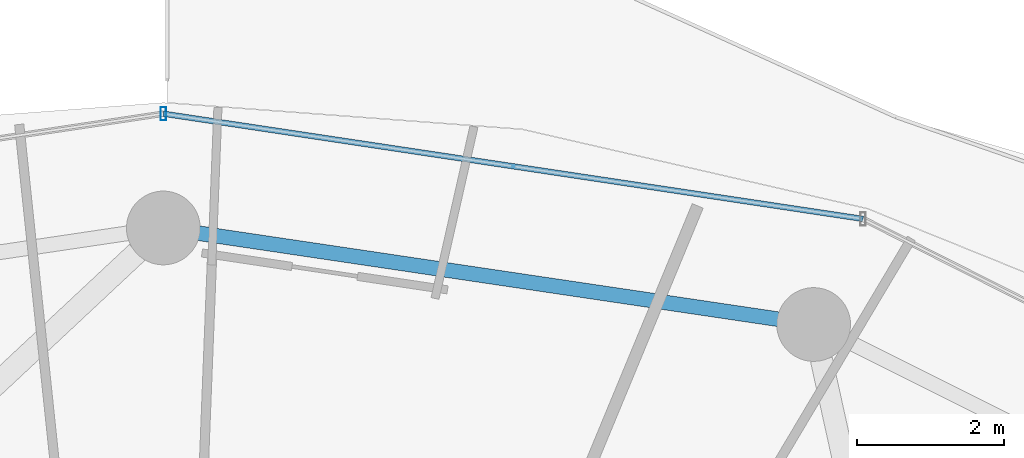
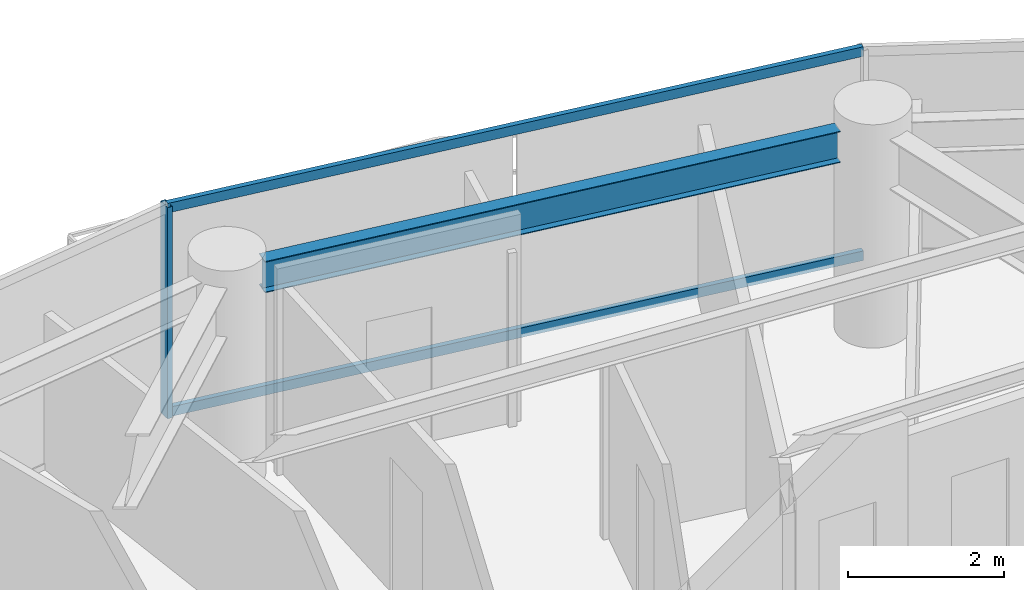
# One storey, part 17 of 28: 3 members, 1 beam, 1 element without a shape of its own.
"""IFC4 building model written with IfcOpenShell, lengths in metres."""

from ifc_helpers import new_model, si_unit, direction, frame, origin, origin_2d, place, context, subcontext, project, spatial, hollow_rectangle, i_section, extrude, material, material_profile, profile_set, type_object, element, aggregate, save


model = new_model("IFC4")

# Units and contexts
model_context = context("Model", 3, precision=1e-05, world=origin(), true_north=direction((0.0, 1.0)))
body_context = subcontext(model_context, "Body", "Model", "MODEL_VIEW")
ifc_project = project(units=[si_unit("LENGTHUNIT", "METRE"), si_unit("AREAUNIT", "SQUARE_METRE"), si_unit("VOLUMEUNIT", "CUBIC_METRE"), si_unit("PLANEANGLEUNIT", "RADIAN"), si_unit("MASSUNIT", "GRAM", prefix="KILO")], contexts=[model_context])

# Site, building, storey
site_placement = place(None, origin())
site = spatial("IfcSite", under=ifc_project, at=site_placement, CompositionType="ELEMENT")
building_placement = place(site_placement, origin())
building = spatial("IfcBuilding", under=site, at=building_placement, Name="Vorneva Point Tower", CompositionType="ELEMENT")
storey_placement = place(building_placement, frame((0.0, 0.0, 146.60009765625)))
storey = spatial("IfcBuildingStorey", under=building, at=storey_placement, Name="L39", CompositionType="ELEMENT", Elevation=146.60009765625)

# Beam
ifc_material_1 = material(Name="Steel S355", Category="steel")
ifc_material_profile_1 = material_profile(ifc_material_1, i_section(OverallWidth=0.199951171875, OverallDepth=0.491943359375, WebThickness=0.0087890625, FlangeThickness=0.011962890625, at=origin_2d()), Name="50B1")
ifc_profile_set_1 = profile_set([ifc_material_profile_1], Name="Steel S355")
beam_type = type_object("IfcBeamType", Name="BM-SPN-50B1", PredefinedType="SPANDREL", material=ifc_profile_set_1)
beam_placement = place(storey_placement, frame((46.34130859375, 41.9619140625, 2.993896484375), z_axis=(-0.989161199046, 0.146833655211, 0.0), x_axis=(-0.146833655211, -0.989161199046, 0.0)))
element("IfcBeam", 1, at=beam_placement, inside=storey, type_object=beam_type, Name="L39 Perimeter Spandrel Ring Beam 04", PredefinedType="SPANDREL", context=body_context, shape_type="SweptSolid", body=[
    extrude(i_section(OverallWidth=0.199951171875, OverallDepth=0.491943359375, WebThickness=0.0087890625, FlangeThickness=0.011962890625, at=origin_2d()), origin(), (0.0, 0.0, 1.0), 7.94775390625),
])

# Curtain wall, members
ifc_material_2 = material(Name="Pale anodised aluminium", Category="aluminium")
curtain_wall_type = type_object("IfcCurtainWallType", Name="CW-RES-SYS", PredefinedType="NOTDEFINED", material=ifc_material_2)
curtain_wall_placement = place(storey_placement, origin())
curtain_wall = element("IfcCurtainWall", 2, at=curtain_wall_placement, inside=storey, type_object=curtain_wall_type, Name="L39 Unitised Curtain Wall CW-L39-R01", PredefinedType="NOTDEFINED")
ifc_material_profile_2 = material_profile(ifc_material_2, hollow_rectangle(XDim=0.074951171875, YDim=0.179931640625, WallThickness=0.00390625, at=origin_2d()), Name="AL-MUL 180x75x4")
ifc_profile_set_2 = profile_set([ifc_material_profile_2], Name="Pale anodised aluminium")
member_type_1 = type_object("IfcMemberType", Name="CW-MUL-180", PredefinedType="MULLION", material=ifc_profile_set_2)
member_1_placement = place(storey_placement, frame((38.0, 44.75, -0.0400390625), z_axis=(0.0, 0.0, 1.0), x_axis=(1.0, 0.0, 0.0)))
member_1 = element("IfcMember", 3, at=member_1_placement, type_object=member_type_1, Name="CW-L39-R01 Mullion 04", PredefinedType="MULLION", context=body_context, shape_type="SweptSolid", body=[
    extrude(hollow_rectangle(XDim=0.074951171875, YDim=0.179931640625, WallThickness=0.00390625, at=origin_2d()), origin(), (0.0, 0.0, 1.0), 3.31005859375),
])
ifc_material_profile_3 = material_profile(ifc_material_2, hollow_rectangle(XDim=0.074951171875, YDim=0.14990234375, WallThickness=0.00390625, at=origin_2d()), Name="AL-TRN 150x75x4")
ifc_profile_set_3 = profile_set([ifc_material_profile_3], Name="Pale anodised aluminium")
member_type_2 = type_object("IfcMemberType", Name="CW-TRN-150", PredefinedType="USERDEFINED", material=ifc_profile_set_3)
member_2_placement = place(storey_placement, frame((47.490478515625, 43.32275390625, 0.02001953125), z_axis=(-0.988880117727, 0.148714870687, 0.0), x_axis=(-0.148714870687, -0.988880117727, 0.0)))
member_2 = element("IfcMember", 4, at=member_2_placement, type_object=member_type_2, Name="CW-L39-R01 Transom 03.1", ObjectType="TRANSOM", PredefinedType="USERDEFINED", context=body_context, shape_type="SweptSolid", body=[
    extrude(hollow_rectangle(XDim=0.074951171875, YDim=0.14990234375, WallThickness=0.00390625, at=origin_2d()), origin(), (0.0, 0.0, 1.0), 9.59716796875),
])
member_3_placement = place(storey_placement, frame((47.490478515625, 43.32275390625, 3.219970703125), z_axis=(-0.988880117727, 0.148714870687, 0.0), x_axis=(-0.148714870687, -0.988880117727, 0.0)))
member_3 = element("IfcMember", 5, at=member_3_placement, type_object=member_type_2, Name="CW-L39-R01 Transom 03.2", ObjectType="TRANSOM", PredefinedType="USERDEFINED", context=body_context, shape_type="SweptSolid", body=[
    extrude(hollow_rectangle(XDim=0.074951171875, YDim=0.14990234375, WallThickness=0.00390625, at=origin_2d()), origin(), (0.0, 0.0, 1.0), 9.59716796875),
])
aggregate(curtain_wall, [member_1, member_2, member_3])

save(model, "model.ifc")
